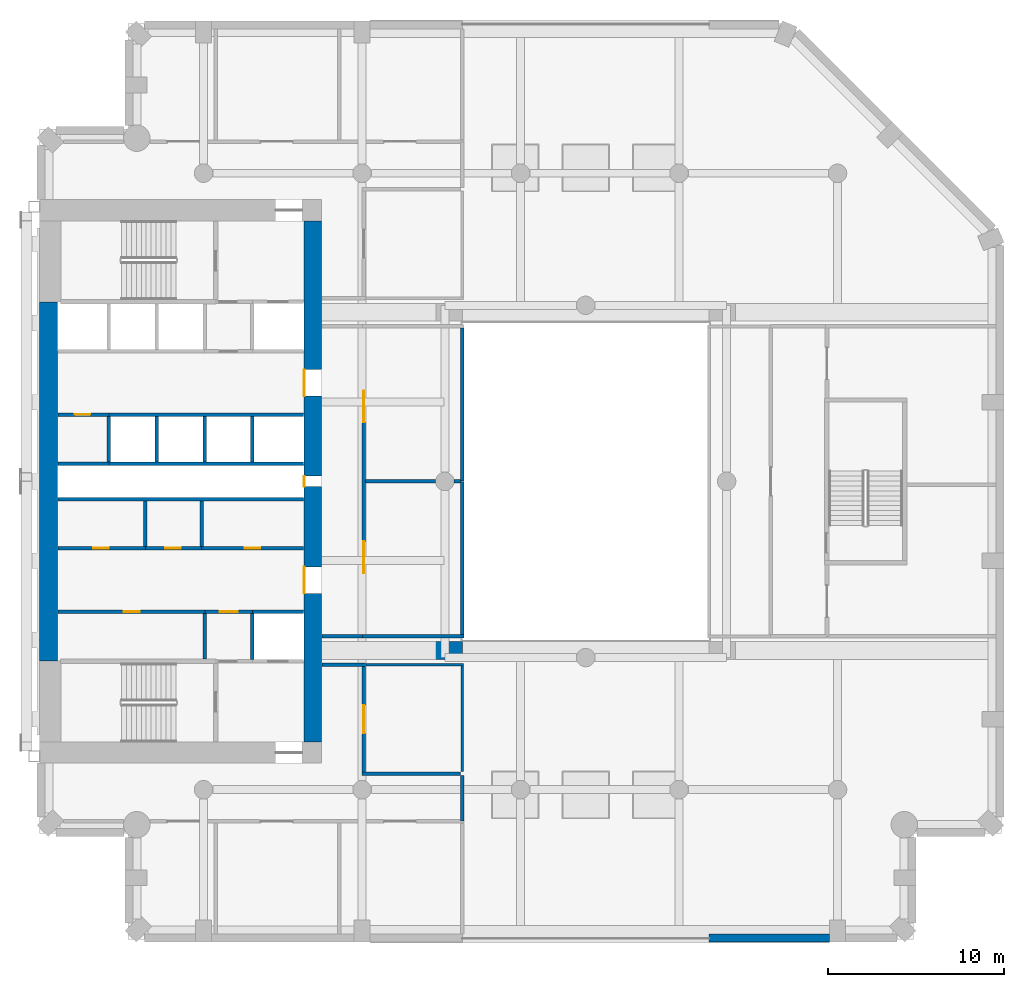
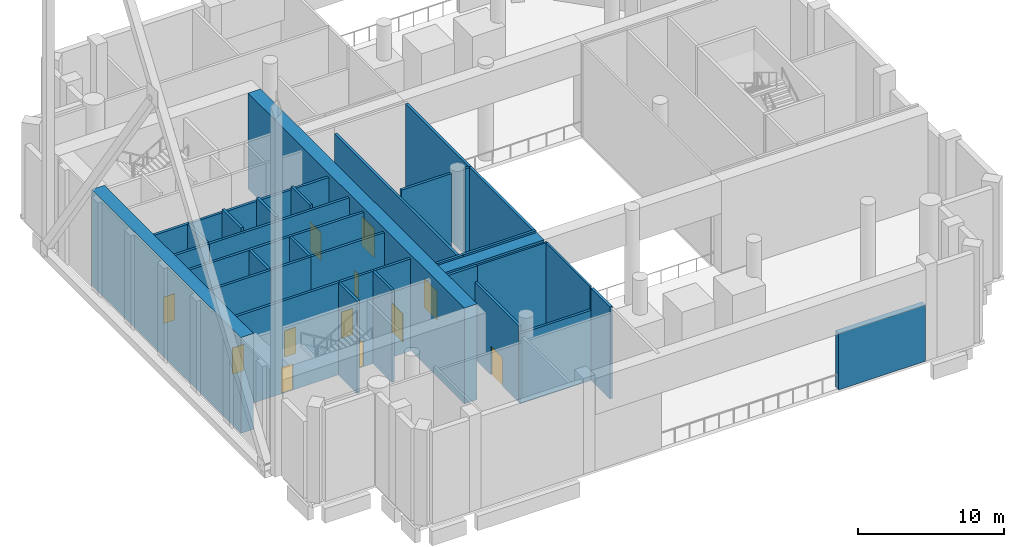
# One storey, part 3 of 14: 36 walls, 12 doors, 12 openings.
"""IFC4 building model written with IfcOpenShell, lengths in metres."""

import ifcopenshell
import ifcopenshell.guid

model = None  # the IFC model being written
_history = None  # IfcOwnerHistory: only IFC2X3 demands one
_inside = {}  # id of a spatial element -> (the spatial element, [elements in it])
_under = {}  # id of a project, library or spatial element -> (it, [spatial elements below it])
_declared = {}  # id of a project -> (the project, [libraries it declares])
_typed = {}  # id of a type object -> (the type object, [elements of that type])
_made_of = {}  # id of a material, layer set ... -> (it, [elements and type objects made of it])


def new_model(schema):
    """Start an empty IFC model of exactly this schema.

    Asked for "IFC4X3", IfcOpenShell would pick the latest addendum, in which some entities
    have other attributes; the version numbers below select the first issue.
    IFC2X3 requires an IfcOwnerHistory on every rooted entity: one is made here for all.
    """
    global model, _history
    if schema == "IFC4X3":
        model = ifcopenshell.file(schema_version=(4, 3, 0, 0))
    else:
        model = ifcopenshell.file(schema=schema)
    _inside.clear()
    _under.clear()
    _declared.clear()
    _typed.clear()
    _made_of.clear()
    _history = None
    if model.schema == "IFC2X3":
        org = make("IfcOrganization", Name="unknown")
        user = make(
            "IfcPersonAndOrganization",
            ThePerson=make("IfcPerson", FamilyName="unknown"),
            TheOrganization=org,
        )
        app = make(
            "IfcApplication",
            ApplicationDeveloper=org,
            Version="unknown",
            ApplicationFullName="unknown",
            ApplicationIdentifier="unknown",
        )
        _history = make(
            "IfcOwnerHistory",
            OwningUser=user,
            OwningApplication=app,
            ChangeAction="ADDED",
            CreationDate=0,
        )
    return model


def make(cls, **values):
    """One entity of the class cls with the attributes given. An attribute that is None is left unset."""
    return model.create_entity(
        cls, **{name: value for name, value in values.items() if value is not None}
    )


def rooted(cls, **values):
    """An entity with a GlobalId (a new one), such as an element, a storey or a relation."""
    return make(cls, GlobalId=ifcopenshell.guid.new(), OwnerHistory=_history, **values)


def si_unit(unit_type, name, prefix=None):
    """IfcSIUnit, for example si_unit("LENGTHUNIT", "METRE", prefix="MILLI")."""
    return make("IfcSIUnit", UnitType=unit_type, Prefix=prefix, Name=name)


def assignment(units):
    """IfcUnitAssignment: the units of a project."""
    return None if units is None else make("IfcUnitAssignment", Units=units)


def point(xyz):
    """IfcCartesianPoint."""
    return None if xyz is None else make("IfcCartesianPoint", Coordinates=xyz)


def direction(xyz):
    """IfcDirection."""
    return None if xyz is None else make("IfcDirection", DirectionRatios=xyz)


def frame(location, z_axis=None, x_axis=None):
    """IfcAxis2Placement3D, a coordinate frame: its origin and axes. An axis left out is left unset."""
    return make(
        "IfcAxis2Placement3D",
        Location=point(location),
        Axis=direction(z_axis),
        RefDirection=direction(x_axis),
    )


def frame_2d(location, x_axis=None):
    """IfcAxis2Placement2D, a coordinate frame in the plane: its origin and x axis."""
    return make(
        "IfcAxis2Placement2D", Location=point(location), RefDirection=direction(x_axis)
    )


def origin():
    """The frame at (0, 0, 0) with its axes left unset."""
    return frame((0.0, 0.0, 0.0))


def place(relative_to, where):
    """IfcLocalPlacement: puts the frame where relative to a parent placement (None: the world)."""
    return make(
        "IfcLocalPlacement", PlacementRelTo=relative_to, RelativePlacement=where
    )


def context(
    kind, dimensions, precision=None, world=None, true_north=None, identifier=None
):
    """IfcGeometricRepresentationContext, for example the 3D "Model" context."""
    return make(
        "IfcGeometricRepresentationContext",
        ContextIdentifier=identifier,
        ContextType=kind,
        CoordinateSpaceDimension=dimensions,
        Precision=precision,
        WorldCoordinateSystem=world,
        TrueNorth=true_north,
    )


def subcontext(parent, identifier, kind, view, scale=None):
    """IfcGeometricRepresentationSubContext, for example "Body" below "Model"."""
    return make(
        "IfcGeometricRepresentationSubContext",
        ContextIdentifier=identifier,
        ContextType=kind,
        ParentContext=parent,
        TargetScale=scale,
        TargetView=view,
    )


def project(units=None, contexts=None):
    """IfcProject with its units and contexts."""
    return rooted(
        "IfcProject",
        Name="project",
        RepresentationContexts=contexts,
        UnitsInContext=assignment(units),
    )


def spatial(cls, under=None, at=None, **own):
    """A site, building, storey or space (cls), placed at a placement, below another one or the project."""
    s = rooted(cls, ObjectPlacement=at, **own)
    if under is not None:
        _under.setdefault(under.id(), (under, []))[1].append(s)
    return s


def profile(cls, at=None, kind="AREA", **sizes):
    """A parametric profile (cls). Its sizes go by their IFC names, for example OverallWidth=200.0."""
    return make(cls, ProfileType=kind, Position=at, **sizes)


def rectangle(**sizes):
    """IfcRectangleProfileDef."""
    return profile("IfcRectangleProfileDef", **sizes)


def extrude(swept, where, along, depth):
    """IfcExtrudedAreaSolid: the profile swept, set in the frame where, extruded along a direction by depth."""
    return make(
        "IfcExtrudedAreaSolid",
        SweptArea=swept,
        Position=where,
        ExtrudedDirection=direction(along),
        Depth=depth,
    )


def shape(context_of_items, identifier, shape_type, items):
    """IfcShapeRepresentation: the items that make up one representation, for example the "Body"."""
    return make(
        "IfcShapeRepresentation",
        ContextOfItems=context_of_items,
        RepresentationIdentifier=identifier,
        RepresentationType=shape_type,
        Items=items,
    )


def material(Name=None, Category=None):
    """IfcMaterial."""
    return make("IfcMaterial", Name=Name, Category=Category)


def layer(
    of_material, thickness, ventilated=None, Name=None, Category=None, Priority=None
):
    """IfcMaterialLayer: one layer of a wall or slab, of a material (None: an air gap)."""
    return make(
        "IfcMaterialLayer",
        Material=of_material,
        LayerThickness=thickness,
        IsVentilated=ventilated,
        Name=Name,
        Category=Category,
        Priority=Priority,
    )


def layer_set(layers, Name=None):
    """IfcMaterialLayerSet."""
    return make("IfcMaterialLayerSet", MaterialLayers=layers, LayerSetName=Name)


def made_of(thing, what):
    """Note that an element or type object is made of a material, layer set ...; save() writes the relation."""
    if what is not None:
        _made_of.setdefault(what.id(), (what, []))[1].append(thing)
    return thing


def type_object(cls, material=None, **own):
    """A type object (cls), such as IfcWallType, which elements share."""
    return made_of(rooted(cls, **own), material)


def element(
    cls,
    number,
    at=None,
    inside=None,
    cuts=None,
    type_object=None,
    material=None,
    context=None,
    identifier="Body",
    shape_type=None,
    held_by="IfcProductDefinitionShape",
    body=None,
    shapes=None,
    **own,
):
    """One element of the class cls, such as IfcWall. Its Tag is "e" and its number.

    at: its placement. inside: the storey or other place that contains it. cuts: it is an
    opening in that element (IfcRelVoidsElement). A single representation is given by context,
    identifier, shape_type and body (its items); several are given by shapes. held_by: the class
    of the entity that holds the representations. save() writes the other relations.
    """
    e = rooted(cls, Tag="e%d" % number, ObjectPlacement=at, **own)
    if body is not None:
        shapes = [shape(context, identifier, shape_type, body)]
    if shapes is not None:
        e.Representation = make(held_by, Representations=shapes)
    if inside is not None:
        _inside.setdefault(inside.id(), (inside, []))[1].append(e)
    if cuts is not None:
        rooted(
            "IfcRelVoidsElement", RelatingBuildingElement=cuts, RelatedOpeningElement=e
        )
    if type_object is not None:
        _typed.setdefault(type_object.id(), (type_object, []))[1].append(e)
    return made_of(e, material)


def fill(opening, filler):
    """IfcRelFillsElement: the door or window that sits in an opening."""
    return rooted(
        "IfcRelFillsElement",
        RelatingOpeningElement=opening,
        RelatedBuildingElement=filler,
    )


def aggregate(whole, parts):
    """IfcRelAggregates: a whole, such as a stair, and the parts it consists of."""
    return rooted("IfcRelAggregates", RelatingObject=whole, RelatedObjects=parts)


def save(model, path):
    """Write the relations noted so far, then the file.

    IfcRelAggregates (storeys below a building ...), IfcRelContainedInSpatialStructure (elements
    in a storey), IfcRelDefinesByType, IfcRelAssociatesMaterial and IfcRelDeclares: one each for
    every whole, place, type object, material and project.
    """
    for whole, parts in _under.values():
        aggregate(whole, parts)
    for where, things in _inside.values():
        rooted(
            "IfcRelContainedInSpatialStructure",
            RelatedElements=things,
            RelatingStructure=where,
        )
    for kind, things in _typed.values():
        rooted("IfcRelDefinesByType", RelatedObjects=things, RelatingType=kind)
    for what, things in _made_of.values():
        rooted("IfcRelAssociatesMaterial", RelatedObjects=things, RelatingMaterial=what)
    for by, libraries in _declared.values():
        rooted("IfcRelDeclares", RelatingContext=by, RelatedDefinitions=libraries)
    model.write(path)


model = new_model("IFC4")

# Units and contexts
model_context = context("Model", 3, precision=1e-05, world=origin(), true_north=direction((0.0, 1.0)))
body_context = subcontext(model_context, "Body", "Model", "MODEL_VIEW")
ifc_project = project(units=[si_unit("LENGTHUNIT", "METRE"), si_unit("AREAUNIT", "SQUARE_METRE"), si_unit("VOLUMEUNIT", "CUBIC_METRE"), si_unit("PLANEANGLEUNIT", "RADIAN"), si_unit("MASSUNIT", "GRAM", prefix="KILO")], contexts=[model_context])

# Site, building, storey
site_placement = place(None, origin())
site = spatial("IfcSite", under=ifc_project, at=site_placement, CompositionType="ELEMENT")
building_placement = place(site_placement, origin())
building = spatial("IfcBuilding", under=site, at=building_placement, Name="Cypress Arch Tower", CompositionType="ELEMENT")
storey_placement = place(building_placement, frame((0.0, 0.0, 152.5)))
storey = spatial("IfcBuildingStorey", under=building, at=storey_placement, Name="L33", CompositionType="ELEMENT", Elevation=152.5)

# Wall
ifc_material_1 = material(Name="Brick (red buff blend)", Category="masonry")
ifc_layer_1 = layer(ifc_material_1, 0.449951171875)
ifc_layer_set_1 = layer_set([ifc_layer_1], Name="Brick belt wall BW450-B")
wall_type_1 = type_object("IfcWallType", Name="Brick belt wall BW450-B", PredefinedType="SOLIDWALL", material=ifc_layer_set_1)
wall_1_placement = place(storey_placement, frame((8.0, -25.925048828125, 0.0), z_axis=(0.0, 0.0, 1.0), x_axis=(1.0, 0.0, 0.0)))
element("IfcWall", 1, at=wall_1_placement, inside=storey, type_object=wall_type_1, Name="Brick wall L33 A03.4", PredefinedType="SOLIDWALL", context=body_context, shape_type="SweptSolid", body=[
    extrude(rectangle(XDim=6.85009765625, YDim=0.449951171875, at=frame_2d((3.425048828125, 0.0))), origin(), (0.0, 0.0, 1.0), 4.699951171875),
])

# Wall, openings, doors
ifc_material_2 = material(Name="Concrete C80/95", Category="concrete")
ifc_layer_2 = layer(ifc_material_2, 1.0)
ifc_layer_set_2 = layer_set([ifc_layer_2], Name="Core wall CW1000 C80/95")
wall_type_2 = type_object("IfcWallType", Name="Core wall CW1000 C80/95", PredefinedType="SHEAR", material=ifc_layer_set_2)
wall_2_placement = place(storey_placement, frame((-14.5, -14.800048828125, 0.0), z_axis=(0.0, 0.0, 1.0), x_axis=(0.0, 1.0, 0.0)))
wall_2 = element("IfcWall", 2, at=wall_2_placement, inside=storey, type_object=wall_type_2, Name="Core wall", PredefinedType="SHEAR", context=body_context, shape_type="SweptSolid", body=[
    extrude(rectangle(XDim=29.60009765625, YDim=1.0, at=frame_2d((14.800048828125, 0.0))), origin(), (0.0, 0.0, 1.0), 8.0),
])
opening_1_placement = place(wall_2_placement, frame((8.449951171875, 0.0, 0.0)))
opening_1 = element("IfcOpeningElement", 3, at=opening_1_placement, cuts=wall_2, Name="Opening D07", PredefinedType="OPENING", context=body_context, shape_type="SweptSolid", body=[
    extrude(rectangle(XDim=1.5, YDim=2.39990234375, at=frame_2d((0.75, 1.199951171875))), frame((0.0, 0.510009765625, 0.0), z_axis=(0.0, -1.0, 0.0), x_axis=(1.0, 0.0, 0.0)), (0.0, 0.0, 1.0), 1.02001953125),
])
opening_2_placement = place(wall_2_placement, frame((19.64990234375, 0.0, 0.0)))
opening_2 = element("IfcOpeningElement", 4, at=opening_2_placement, cuts=wall_2, Name="Opening D07", PredefinedType="OPENING", context=body_context, shape_type="SweptSolid", body=[
    extrude(rectangle(XDim=1.5, YDim=2.39990234375, at=frame_2d((0.75, 1.199951171875))), frame((0.0, 0.510009765625, 0.0), z_axis=(0.0, -1.0, 0.0), x_axis=(1.0, 0.0, 0.0)), (0.0, 0.0, 1.0), 1.02001953125),
])
opening_3_placement = place(wall_2_placement, frame((14.5, 0.0, 0.0)))
opening_3 = element("IfcOpeningElement", 5, at=opening_3_placement, cuts=wall_2, Name="Opening D08", PredefinedType="OPENING", context=body_context, shape_type="SweptSolid", body=[
    extrude(rectangle(XDim=0.60009765625, YDim=2.0, at=frame_2d((0.300048828125, 1.0))), frame((0.0, 0.510009765625, 0.0), z_axis=(0.0, -1.0, 0.0), x_axis=(1.0, 0.0, 0.0)), (0.0, 0.0, 1.0), 1.02001953125),
])
ifc_material_3 = material(Name="Steel framed glazed door, fire resisting", Category="steel")
door_type_1 = type_object("IfcDoorType", Name="Lobby door D07 1500x2400", OperationType="DOUBLE_DOOR_SINGLE_SWING", PredefinedType="DOOR", material=ifc_material_3)
door_1_placement = place(opening_1_placement, origin())
door_1 = element("IfcDoor", 6, at=door_1_placement, inside=storey, type_object=door_type_1, Name="Lobby door", OperationType="DOUBLE_DOOR_SINGLE_SWING", OverallHeight=2.39990234375, OverallWidth=1.5, PredefinedType="DOOR", context=body_context, shape_type="SweptSolid", body=[
    extrude(rectangle(XDim=1.5, YDim=2.39990234375, at=frame_2d((0.75, 1.199951171875))), frame((0.0, 0.4951171875, 0.0), z_axis=(0.0, -1.0, 0.0), x_axis=(1.0, 0.0, 0.0)), (0.0, 0.0, 1.0), 0.050048828125),
])
fill(opening_1, door_1)
door_2_placement = place(opening_2_placement, origin())
door_2 = element("IfcDoor", 7, at=door_2_placement, inside=storey, type_object=door_type_1, Name="Lobby door", OperationType="DOUBLE_DOOR_SINGLE_SWING", OverallHeight=2.39990234375, OverallWidth=1.5, PredefinedType="DOOR", context=body_context, shape_type="SweptSolid", body=[
    extrude(rectangle(XDim=1.5, YDim=2.39990234375, at=frame_2d((0.75, 1.199951171875))), frame((0.0, 0.4951171875, 0.0), z_axis=(0.0, -1.0, 0.0), x_axis=(1.0, 0.0, 0.0)), (0.0, 0.0, 1.0), 0.050048828125),
])
fill(opening_2, door_2)
ifc_material_4 = material(Name="Steel access door, fire resisting", Category="steel")
door_type_2 = type_object("IfcDoorType", Name="Riser access door D08 600x2000", OperationType="SINGLE_SWING_LEFT", PredefinedType="DOOR", material=ifc_material_4)
door_3_placement = place(opening_3_placement, origin())
door_3 = element("IfcDoor", 8, at=door_3_placement, inside=storey, type_object=door_type_2, Name="Riser access door", OperationType="SINGLE_SWING_RIGHT", OverallHeight=2.0, OverallWidth=0.60009765625, PredefinedType="DOOR", context=body_context, shape_type="SweptSolid", body=[
    extrude(rectangle(XDim=0.60009765625, YDim=2.0, at=frame_2d((0.300048828125, 1.0))), frame((0.0, 0.4951171875, 0.0), z_axis=(0.0, -1.0, 0.0), x_axis=(1.0, 0.0, 0.0)), (0.0, 0.0, 1.0), 0.050048828125),
])
fill(opening_3, door_3)

# Wall
wall_3_placement = place(storey_placement, frame((-29.5, -10.199951171875, 0.0), z_axis=(0.0, 0.0, 1.0), x_axis=(0.0, 1.0, 0.0)))
element("IfcWall", 9, at=wall_3_placement, inside=storey, type_object=wall_type_2, Name="Core wall", PredefinedType="SHEAR", context=body_context, shape_type="SweptSolid", body=[
    extrude(rectangle(XDim=20.39990234375, YDim=1.0, at=frame_2d((10.199951171875, 0.0))), origin(), (0.0, 0.0, 1.0), 8.0),
])

# Wall, opening, door
ifc_material_5 = material(Name="Concrete blockwork, plastered, rated", Category="masonry")
ifc_layer_3 = layer(ifc_material_5, 0.199951171875)
ifc_layer_set_3 = layer_set([ifc_layer_3], Name="Corridor wall FW200")
wall_type_3 = type_object("IfcWallType", Name="Corridor wall FW200", PredefinedType="PARTITIONING", material=ifc_layer_set_3)
wall_4_placement = place(storey_placement, frame((-28.969970703125, -3.800048828125, 0.0), z_axis=(0.0, 0.0, 1.0), x_axis=(1.0, 0.0, 0.0)))
wall_4 = element("IfcWall", 10, at=wall_4_placement, inside=storey, type_object=wall_type_3, Name="Corridor wall", PredefinedType="PARTITIONING", context=body_context, shape_type="SweptSolid", body=[
    extrude(rectangle(XDim=4.989990234375, YDim=0.199951171875, at=frame_2d((2.4951171875, 0.0))), origin(), (0.0, 0.0, 1.0), 7.699951171875),
])
opening_4_placement = place(wall_4_placement, frame((2.0, 0.0, 0.0)))
opening_4 = element("IfcOpeningElement", 11, at=opening_4_placement, cuts=wall_4, Name="Opening D05", PredefinedType="OPENING", context=body_context, shape_type="SweptSolid", body=[
    extrude(rectangle(XDim=0.89990234375, YDim=2.199951171875, at=frame_2d((0.449951171875, 1.10009765625))), frame((0.0, 0.10986328125, 0.0), z_axis=(0.0, -1.0, 0.0), x_axis=(1.0, 0.0, 0.0)), (0.0, 0.0, 1.0), 0.219970703125),
])
ifc_material_6 = material(Name="Timber flush door", Category="wood")
door_type_3 = type_object("IfcDoorType", Name="Service door D05 900x2200", OperationType="SINGLE_SWING_LEFT", PredefinedType="DOOR", material=ifc_material_6)
door_4_placement = place(opening_4_placement, origin())
door_4 = element("IfcDoor", 12, at=door_4_placement, inside=storey, type_object=door_type_3, Name="Service door", OperationType="SINGLE_SWING_RIGHT", OverallHeight=2.199951171875, OverallWidth=0.89990234375, PredefinedType="DOOR", context=body_context, shape_type="SweptSolid", body=[
    extrude(rectangle(XDim=0.89990234375, YDim=2.199951171875, at=frame_2d((0.449951171875, 1.10009765625))), frame((0.0, 0.02490234375, 0.0), z_axis=(0.0, -1.0, 0.0), x_axis=(1.0, 0.0, 0.0)), (0.0, 0.0, 1.0), 0.050048828125),
])
fill(opening_4, door_4)

wall_5_placement = place(storey_placement, frame((-28.969970703125, 3.800048828125, 0.0), z_axis=(0.0, 0.0, 1.0), x_axis=(1.0, 0.0, 0.0)))
wall_5 = element("IfcWall", 13, at=wall_5_placement, inside=storey, type_object=wall_type_3, Name="Corridor wall", PredefinedType="PARTITIONING", context=body_context, shape_type="SweptSolid", body=[
    extrude(rectangle(XDim=2.889892578125, YDim=0.199951171875, at=frame_2d((1.44482421875, 0.0))), origin(), (0.0, 0.0, 1.0), 7.699951171875),
])
opening_5_placement = place(wall_5_placement, frame((0.949951171875, 0.0, 0.0)))
opening_5 = element("IfcOpeningElement", 14, at=opening_5_placement, cuts=wall_5, Name="Opening D05", PredefinedType="OPENING", context=body_context, shape_type="SweptSolid", body=[
    extrude(rectangle(XDim=0.89990234375, YDim=2.199951171875, at=frame_2d((0.449951171875, 1.10009765625))), frame((0.0, 0.10986328125, 0.0), z_axis=(0.0, -1.0, 0.0), x_axis=(1.0, 0.0, 0.0)), (0.0, 0.0, 1.0), 0.219970703125),
])
door_5_placement = place(opening_5_placement, origin())
door_5 = element("IfcDoor", 15, at=door_5_placement, inside=storey, type_object=door_type_3, Name="Service door", OperationType="SINGLE_SWING_LEFT", OverallHeight=2.199951171875, OverallWidth=0.89990234375, PredefinedType="DOOR", context=body_context, shape_type="SweptSolid", body=[
    extrude(rectangle(XDim=0.89990234375, YDim=2.199951171875, at=frame_2d((0.449951171875, 1.10009765625))), frame((0.0, 0.02490234375, 0.0), z_axis=(0.0, -1.0, 0.0), x_axis=(1.0, 0.0, 0.0)), (0.0, 0.0, 1.0), 0.050048828125),
])
fill(opening_5, door_5)

wall_6_placement = place(storey_placement, frame((-20.820068359375, -3.800048828125, 0.0), z_axis=(0.0, 0.0, 1.0), x_axis=(1.0, 0.0, 0.0)))
wall_6 = element("IfcWall", 16, at=wall_6_placement, inside=storey, type_object=wall_type_3, Name="Corridor wall", PredefinedType="PARTITIONING", context=body_context, shape_type="SweptSolid", body=[
    extrude(rectangle(XDim=5.7900390625, YDim=0.199951171875, at=frame_2d((2.89501953125, 0.0))), origin(), (0.0, 0.0, 1.0), 7.699951171875),
])
opening_6_placement = place(wall_6_placement, frame((2.449951171875, 0.0, 0.0)))
opening_6 = element("IfcOpeningElement", 17, at=opening_6_placement, cuts=wall_6, Name="Opening D05", PredefinedType="OPENING", context=body_context, shape_type="SweptSolid", body=[
    extrude(rectangle(XDim=0.89990234375, YDim=2.199951171875, at=frame_2d((0.449951171875, 1.10009765625))), frame((0.0, 0.10986328125, 0.0), z_axis=(0.0, -1.0, 0.0), x_axis=(1.0, 0.0, 0.0)), (0.0, 0.0, 1.0), 0.219970703125),
])
door_6_placement = place(opening_6_placement, origin())
door_6 = element("IfcDoor", 18, at=door_6_placement, inside=storey, type_object=door_type_3, Name="Service door", OperationType="SINGLE_SWING_LEFT", OverallHeight=2.199951171875, OverallWidth=0.89990234375, PredefinedType="DOOR", context=body_context, shape_type="SweptSolid", body=[
    extrude(rectangle(XDim=0.89990234375, YDim=2.199951171875, at=frame_2d((0.449951171875, 1.10009765625))), frame((0.0, 0.02490234375, 0.0), z_axis=(0.0, -1.0, 0.0), x_axis=(1.0, 0.0, 0.0)), (0.0, 0.0, 1.0), 0.050048828125),
])
fill(opening_6, door_6)

wall_7_placement = place(storey_placement, frame((-20.6201171875, -7.39990234375, 0.0), z_axis=(0.0, 0.0, 1.0), x_axis=(1.0, 0.0, 0.0)))
wall_7 = element("IfcWall", 19, at=wall_7_placement, inside=storey, type_object=wall_type_3, Name="Corridor wall", PredefinedType="PARTITIONING", context=body_context, shape_type="SweptSolid", body=[
    extrude(rectangle(XDim=2.7001953125, YDim=0.199951171875, at=frame_2d((1.35009765625, 0.0))), origin(), (0.0, 0.0, 1.0), 7.699951171875),
])
opening_7_placement = place(wall_7_placement, frame((0.85009765625, 0.0, 0.0)))
opening_7 = element("IfcOpeningElement", 20, at=opening_7_placement, cuts=wall_7, Name="Opening D16", PredefinedType="OPENING", context=body_context, shape_type="SweptSolid", body=[
    extrude(rectangle(XDim=1.0, YDim=2.199951171875, at=frame_2d((0.5, 1.10009765625))), frame((0.0, 0.10986328125, 0.0), z_axis=(0.0, -1.0, 0.0), x_axis=(1.0, 0.0, 0.0)), (0.0, 0.0, 1.0), 0.219970703125),
])
ifc_material_7 = material(Name="Timber flush door", Category="wood")
door_type_4 = type_object("IfcDoorType", Name="Service door D16 1000x2200", OperationType="SINGLE_SWING_LEFT", PredefinedType="DOOR", material=ifc_material_7)
door_7_placement = place(opening_7_placement, origin())
door_7 = element("IfcDoor", 21, at=door_7_placement, inside=storey, type_object=door_type_4, Name="Service door", OperationType="SINGLE_SWING_RIGHT", OverallHeight=2.199951171875, OverallWidth=1.0, PredefinedType="DOOR", context=body_context, shape_type="SweptSolid", body=[
    extrude(rectangle(XDim=1.0, YDim=2.199951171875, at=frame_2d((0.5, 1.10009765625))), frame((0.0, 0.02490234375, 0.0), z_axis=(0.0, -1.0, 0.0), x_axis=(1.0, 0.0, 0.0)), (0.0, 0.0, 1.0), 0.050048828125),
])
fill(opening_7, door_7)

# Walls
wall_8_placement = place(storey_placement, frame((-13.969970703125, -10.39990234375, 0.0), z_axis=(0.0, 0.0, 1.0), x_axis=(1.0, 0.0, 0.0)))
element("IfcWall", 22, at=wall_8_placement, inside=storey, type_object=wall_type_3, Name="Corridor wall", PredefinedType="PARTITIONING", context=body_context, shape_type="SweptSolid", body=[
    extrude(rectangle(XDim=2.469970703125, YDim=0.199951171875, at=frame_2d((1.23486328125, 0.0))), origin(), (0.0, 0.0, 1.0), 7.699951171875),
])
wall_9_placement = place(storey_placement, frame((-13.969970703125, -8.800048828125, 0.0), z_axis=(0.0, 0.0, 1.0), x_axis=(1.0, 0.0, 0.0)))
element("IfcWall", 23, at=wall_9_placement, inside=storey, type_object=wall_type_3, Name="Corridor wall", PredefinedType="PARTITIONING", context=body_context, shape_type="SweptSolid", body=[
    extrude(rectangle(XDim=2.2900390625, YDim=0.199951171875, at=frame_2d((1.14501953125, 0.0))), origin(), (0.0, 0.0, 1.0), 7.699951171875),
])

# Wall, opening, door
wall_10_placement = place(storey_placement, frame((-11.60009765625, -16.4990234375, 0.0), z_axis=(0.0, 0.0, 1.0), x_axis=(0.0, 1.0, 0.0)))
wall_10 = element("IfcWall", 24, at=wall_10_placement, inside=storey, type_object=wall_type_3, Name="Corridor wall", PredefinedType="PARTITIONING", context=body_context, shape_type="SweptSolid", body=[
    extrude(rectangle(XDim=5.9990234375, YDim=0.199951171875, at=frame_2d((2.99951171875, 0.0))), origin(), (0.0, 0.0, 1.0), 6.39990234375),
])
opening_8_placement = place(wall_10_placement, frame((2.199951171875, 0.0, 0.0)))
opening_8 = element("IfcOpeningElement", 25, at=opening_8_placement, cuts=wall_10, Name="Opening D10", PredefinedType="OPENING", context=body_context, shape_type="SweptSolid", body=[
    extrude(rectangle(XDim=1.60009765625, YDim=2.39990234375, at=frame_2d((0.800048828125, 1.199951171875))), frame((0.0, 0.10986328125, 0.0), z_axis=(0.0, -1.0, 0.0), x_axis=(1.0, 0.0, 0.0)), (0.0, 0.0, 1.0), 0.219970703125),
])
ifc_material_8 = material(Name="Black aluminium glazed door", Category="aluminium")
door_type_5 = type_object("IfcDoorType", Name="Amenity door D10 1600x2400", OperationType="DOUBLE_DOOR_SINGLE_SWING", PredefinedType="DOOR", material=ifc_material_8)
door_8_placement = place(opening_8_placement, origin())
door_8 = element("IfcDoor", 26, at=door_8_placement, inside=storey, type_object=door_type_5, Name="Amenity door", OperationType="DOUBLE_DOOR_SINGLE_SWING", OverallHeight=2.39990234375, OverallWidth=1.60009765625, PredefinedType="DOOR", context=body_context, shape_type="SweptSolid", body=[
    extrude(rectangle(XDim=1.60009765625, YDim=2.39990234375, at=frame_2d((0.800048828125, 1.199951171875))), frame((0.0, 0.02490234375, 0.0), z_axis=(0.0, -1.0, 0.0), x_axis=(1.0, 0.0, 0.0)), (0.0, 0.0, 1.0), 0.050048828125),
])
fill(opening_8, door_8)

# Walls
wall_11_placement = place(storey_placement, frame((-11.698974609375, -16.60009765625, 0.0), z_axis=(0.0, 0.0, 1.0), x_axis=(1.0, 0.0, 0.0)))
element("IfcWall", 27, at=wall_11_placement, inside=storey, type_object=wall_type_3, Name="Corridor wall", PredefinedType="PARTITIONING", context=body_context, shape_type="SweptSolid", body=[
    extrude(rectangle(XDim=5.598876953125, YDim=0.199951171875, at=frame_2d((2.79931640625, 0.0))), origin(), (0.0, 0.0, 1.0), 5.85009765625),
])
wall_12_placement = place(storey_placement, frame((-6.0, -19.280029296875, 0.0), z_axis=(0.0, 0.0, 1.0), x_axis=(0.0, 1.0, 0.0)))
element("IfcWall", 28, at=wall_12_placement, inside=storey, type_object=wall_type_3, Name="Corridor wall", PredefinedType="PARTITIONING", context=body_context, shape_type="SweptSolid", body=[
    extrude(rectangle(XDim=2.580078125, YDim=0.199951171875, at=frame_2d((1.2900390625, 0.0))), origin(), (0.0, 0.0, 1.0), 7.699951171875),
])
ifc_material_9 = material(Name="Concrete C80/95", Category="concrete")
ifc_layer_4 = layer(ifc_material_9, 1.0)
ifc_layer_set_4 = layer_set([ifc_layer_4], Name="Outrigger wall 1000 Concrete C80/95")
wall_type_4 = type_object("IfcWallType", Name="Outrigger wall 1000 Concrete C80/95", PredefinedType="SOLIDWALL", material=ifc_layer_set_4)
wall_13_placement = place(storey_placement, frame((-14.0, -9.60009765625, 0.0), z_axis=(0.0, 0.0, 1.0), x_axis=(1.0, 0.0, 0.0)))
element("IfcWall", 29, at=wall_13_placement, inside=storey, type_object=wall_type_4, Name="Outrigger wall L33 SW", PredefinedType="SOLIDWALL", context=body_context, shape_type="SweptSolid", body=[
    extrude(rectangle(XDim=8.0, YDim=1.0, at=frame_2d((4.0, 0.0))), origin(), (0.0, 0.0, 1.0), 7.699951171875),
])
ifc_material_10 = material(Name="Blockwork, plastered both sides", Category="masonry")
ifc_layer_5 = layer(ifc_material_10, 0.14990234375)
ifc_layer_set_5 = layer_set([ifc_layer_5], Name="Partition PW150")
wall_type_5 = type_object("IfcWallType", Name="Partition PW150", PredefinedType="PARTITIONING", material=ifc_layer_set_5)
wall_14_placement = place(storey_placement, frame((-11.47998046875, -10.39990234375, 0.0), z_axis=(0.0, 0.0, 1.0), x_axis=(1.0, 0.0, 0.0)))
element("IfcWall", 30, at=wall_14_placement, inside=storey, type_object=wall_type_5, Name="Partition", PredefinedType="PARTITIONING", context=body_context, shape_type="SweptSolid", body=[
    extrude(rectangle(XDim=5.554931640625, YDim=0.14990234375, at=frame_2d((2.77734375, 0.0))), origin(), (0.0, 0.0, 1.0), 7.699951171875),
])
wall_15_placement = place(storey_placement, frame((-6.0, -16.47998046875, 0.0), z_axis=(0.0, 0.0, 1.0), x_axis=(0.0, 1.0, 0.0)))
element("IfcWall", 31, at=wall_15_placement, inside=storey, type_object=wall_type_5, Name="Partition", PredefinedType="PARTITIONING", context=body_context, shape_type="SweptSolid", body=[
    extrude(rectangle(XDim=6.0048828125, YDim=0.14990234375, at=frame_2d((3.00244140625, 0.0))), origin(), (0.0, 0.0, 1.0), 7.699951171875),
])

# Wall, opening, door
ifc_material_11 = material(Name="Reinforced blockwork, plastered, rated", Category="masonry")
ifc_layer_6 = layer(ifc_material_11, 0.199951171875)
ifc_layer_set_6 = layer_set([ifc_layer_6], Name="Plant and riser wall PL200")
wall_type_6 = type_object("IfcWallType", Name="Plant and riser wall PL200", PredefinedType="PARTITIONING", material=ifc_layer_set_6)
wall_16_placement = place(storey_placement, frame((-28.969970703125, -7.39990234375, 0.0), z_axis=(0.0, 0.0, 1.0), x_axis=(1.0, 0.0, 0.0)))
wall_16 = element("IfcWall", 32, at=wall_16_placement, inside=storey, type_object=wall_type_6, Name="Plant and riser wall", PredefinedType="PARTITIONING", context=body_context, shape_type="SweptSolid", body=[
    extrude(rectangle(XDim=8.349853515625, YDim=0.199951171875, at=frame_2d((4.1748046875, 0.0))), origin(), (0.0, 0.0, 1.0), 7.699951171875),
])
opening_9_placement = place(wall_16_placement, frame((3.75, 0.0, 0.0)))
opening_9 = element("IfcOpeningElement", 33, at=opening_9_placement, cuts=wall_16, Name="Opening D05", PredefinedType="OPENING", context=body_context, shape_type="SweptSolid", body=[
    extrude(rectangle(XDim=0.89990234375, YDim=2.199951171875, at=frame_2d((0.449951171875, 1.10009765625))), frame((0.0, 0.10986328125, 0.0), z_axis=(0.0, -1.0, 0.0), x_axis=(1.0, 0.0, 0.0)), (0.0, 0.0, 1.0), 0.219970703125),
])
door_9_placement = place(opening_9_placement, origin())
door_9 = element("IfcDoor", 34, at=door_9_placement, inside=storey, type_object=door_type_3, Name="Service door", OperationType="SINGLE_SWING_LEFT", OverallHeight=2.199951171875, OverallWidth=0.89990234375, PredefinedType="DOOR", context=body_context, shape_type="SweptSolid", body=[
    extrude(rectangle(XDim=0.89990234375, YDim=2.199951171875, at=frame_2d((0.449951171875, 1.10009765625))), frame((0.0, 0.02490234375, 0.0), z_axis=(0.0, -1.0, 0.0), x_axis=(1.0, 0.0, 0.0)), (0.0, 0.0, 1.0), 0.050048828125),
])
fill(opening_9, door_9)

# Walls
wall_17_placement = place(storey_placement, frame((-28.969970703125, -1.0, 0.0), z_axis=(0.0, 0.0, 1.0), x_axis=(1.0, 0.0, 0.0)))
element("IfcWall", 35, at=wall_17_placement, inside=storey, type_object=wall_type_6, Name="Plant and riser wall", PredefinedType="PARTITIONING", context=body_context, shape_type="SweptSolid", body=[
    extrude(rectangle(XDim=13.93994140625, YDim=0.199951171875, at=frame_2d((6.969970703125, 0.0))), origin(), (0.0, 0.0, 1.0), 7.699951171875),
])
wall_18_placement = place(storey_placement, frame((-28.969970703125, 1.0, 0.0), z_axis=(0.0, 0.0, 1.0), x_axis=(1.0, 0.0, 0.0)))
element("IfcWall", 36, at=wall_18_placement, inside=storey, type_object=wall_type_6, Name="Plant and riser wall", PredefinedType="PARTITIONING", context=body_context, shape_type="SweptSolid", body=[
    extrude(rectangle(XDim=2.889892578125, YDim=0.199951171875, at=frame_2d((1.44482421875, 0.0))), origin(), (0.0, 0.0, 1.0), 7.699951171875),
])

# Wall, opening, door
wall_19_placement = place(storey_placement, frame((-23.97998046875, -3.800048828125, 0.0), z_axis=(0.0, 0.0, 1.0), x_axis=(1.0, 0.0, 0.0)))
wall_19 = element("IfcWall", 37, at=wall_19_placement, inside=storey, type_object=wall_type_6, Name="Plant and riser wall", PredefinedType="PARTITIONING", context=body_context, shape_type="SweptSolid", body=[
    extrude(rectangle(XDim=3.159912109375, YDim=0.199951171875, at=frame_2d((1.580078125, 0.0))), origin(), (0.0, 0.0, 1.0), 7.699951171875),
])
opening_10_placement = place(wall_19_placement, frame((1.10009765625, 0.0, 0.0)))
opening_10 = element("IfcOpeningElement", 38, at=opening_10_placement, cuts=wall_19, Name="Opening D05", PredefinedType="OPENING", context=body_context, shape_type="SweptSolid", body=[
    extrude(rectangle(XDim=0.89990234375, YDim=2.199951171875, at=frame_2d((0.449951171875, 1.10009765625))), frame((0.0, 0.10986328125, 0.0), z_axis=(0.0, -1.0, 0.0), x_axis=(1.0, 0.0, 0.0)), (0.0, 0.0, 1.0), 0.219970703125),
])
door_10_placement = place(opening_10_placement, origin())
door_10 = element("IfcDoor", 39, at=door_10_placement, inside=storey, type_object=door_type_3, Name="Service door", OperationType="SINGLE_SWING_LEFT", OverallHeight=2.199951171875, OverallWidth=0.89990234375, PredefinedType="DOOR", context=body_context, shape_type="SweptSolid", body=[
    extrude(rectangle(XDim=0.89990234375, YDim=2.199951171875, at=frame_2d((0.449951171875, 1.10009765625))), frame((0.0, 0.02490234375, 0.0), z_axis=(0.0, -1.0, 0.0), x_axis=(1.0, 0.0, 0.0)), (0.0, 0.0, 1.0), 0.050048828125),
])
fill(opening_10, door_10)

# Walls
for number, where, z_axis, x_axis, name in (
    (40, (-24.0, -3.699951171875, 0.0), (0.0, 0.0, 1.0), (0.0, 1.0, 0.0), "Plant and riser wall"),
    (41, (-20.800048828125, -3.699951171875, 0.0), (0.0, 0.0, 1.0), (0.0, 1.0, 0.0), "Plant and riser wall"),
):
    element("IfcWall", number, at=place(storey_placement, frame(where, z_axis=z_axis, x_axis=x_axis)), inside=storey, type_object=wall_type_6, Name=name, PredefinedType="PARTITIONING", context=body_context, shape_type="SweptSolid", body=[
        extrude(rectangle(XDim=2.599853515625, YDim=0.199951171875, at=frame_2d((1.2998046875, 0.0))), origin(), (0.0, 0.0, 1.0), 7.699951171875),
    ])
wall_20_placement = place(storey_placement, frame((-20.639892578125, -10.074951171875, 0.0), z_axis=(0.0, 0.0, 1.0), x_axis=(0.0, 1.0, 0.0)))
element("IfcWall", 42, at=wall_20_placement, inside=storey, type_object=wall_type_6, Name="Plant and riser wall", PredefinedType="PARTITIONING", context=body_context, shape_type="SweptSolid", body=[
    extrude(rectangle(XDim=2.574951171875, YDim=0.199951171875, at=frame_2d((1.28759765625, 0.0))), origin(), (0.0, 0.0, 1.0), 7.699951171875),
])

# Wall, openings, doors
wall_21_placement = place(storey_placement, frame((-11.60009765625, -8.699951171875, 0.0), z_axis=(0.0, 0.0, 1.0), x_axis=(0.0, 1.0, 0.0)))
wall_21 = element("IfcWall", 43, at=wall_21_placement, inside=storey, type_object=wall_type_6, Name="Plant and riser wall", PredefinedType="PARTITIONING", context=body_context, shape_type="SweptSolid", body=[
    extrude(rectangle(XDim=17.39990234375, YDim=0.199951171875, at=frame_2d((8.699951171875, 0.0))), origin(), (0.0, 0.0, 1.0), 7.14990234375),
])
opening_11_placement = place(wall_21_placement, frame((3.5, 0.0, 0.0)))
opening_11 = element("IfcOpeningElement", 44, at=opening_11_placement, cuts=wall_21, Name="Opening D09", PredefinedType="OPENING", context=body_context, shape_type="SweptSolid", body=[
    extrude(rectangle(XDim=1.800048828125, YDim=2.39990234375, at=frame_2d((0.89990234375, 1.199951171875))), frame((0.0, 0.10986328125, 0.0), z_axis=(0.0, -1.0, 0.0), x_axis=(1.0, 0.0, 0.0)), (0.0, 0.0, 1.0), 0.219970703125),
])
opening_12_placement = place(wall_21_placement, frame((12.050048828125, 0.0, 0.0)))
opening_12 = element("IfcOpeningElement", 45, at=opening_12_placement, cuts=wall_21, Name="Opening D09", PredefinedType="OPENING", context=body_context, shape_type="SweptSolid", body=[
    extrude(rectangle(XDim=1.800048828125, YDim=2.39990234375, at=frame_2d((0.89990234375, 1.199951171875))), frame((0.0, 0.10986328125, 0.0), z_axis=(0.0, -1.0, 0.0), x_axis=(1.0, 0.0, 0.0)), (0.0, 0.0, 1.0), 0.219970703125),
])
ifc_material_12 = material(Name="Steel door, fire resisting", Category="steel")
door_type_6 = type_object("IfcDoorType", Name="Plant room door D09 1800x2400", OperationType="DOUBLE_DOOR_SINGLE_SWING", PredefinedType="DOOR", material=ifc_material_12)
door_11_placement = place(opening_11_placement, origin())
door_11 = element("IfcDoor", 46, at=door_11_placement, inside=storey, type_object=door_type_6, Name="Plant room door", OperationType="DOUBLE_DOOR_SINGLE_SWING", OverallHeight=2.39990234375, OverallWidth=1.800048828125, PredefinedType="DOOR", context=body_context, shape_type="SweptSolid", body=[
    extrude(rectangle(XDim=1.800048828125, YDim=2.39990234375, at=frame_2d((0.89990234375, 1.199951171875))), frame((0.0, 0.02490234375, 0.0), z_axis=(0.0, -1.0, 0.0), x_axis=(1.0, 0.0, 0.0)), (0.0, 0.0, 1.0), 0.050048828125),
])
fill(opening_11, door_11)
door_12_placement = place(opening_12_placement, origin())
door_12 = element("IfcDoor", 47, at=door_12_placement, inside=storey, type_object=door_type_6, Name="Plant room door", OperationType="DOUBLE_DOOR_SINGLE_SWING", OverallHeight=2.39990234375, OverallWidth=1.800048828125, PredefinedType="DOOR", context=body_context, shape_type="SweptSolid", body=[
    extrude(rectangle(XDim=1.800048828125, YDim=2.39990234375, at=frame_2d((0.89990234375, 1.199951171875))), frame((0.0, 0.02490234375, 0.0), z_axis=(0.0, -1.0, 0.0), x_axis=(1.0, 0.0, 0.0)), (0.0, 0.0, 1.0), 0.050048828125),
])
fill(opening_12, door_12)

# Walls
wall_22_placement = place(storey_placement, frame((-11.5, 0.0, 0.0), z_axis=(0.0, 0.0, 1.0), x_axis=(1.0, 0.0, 0.0)))
element("IfcWall", 48, at=wall_22_placement, inside=storey, type_object=wall_type_6, Name="Plant and riser wall", PredefinedType="PARTITIONING", context=body_context, shape_type="SweptSolid", body=[
    extrude(rectangle(XDim=3.97509765625, YDim=0.199951171875, at=frame_2d((1.987548828125, 0.0))), origin(), (0.0, 0.0, 1.0), 7.699951171875),
])
wall_23_placement = place(storey_placement, frame((-6.47509765625, 0.0, 0.0), z_axis=(0.0, 0.0, 1.0), x_axis=(1.0, 0.0, 0.0)))
element("IfcWall", 49, at=wall_23_placement, inside=storey, type_object=wall_type_6, Name="Plant and riser wall", PredefinedType="PARTITIONING", context=body_context, shape_type="SweptSolid", body=[
    extrude(rectangle(XDim=0.375, YDim=0.199951171875, at=frame_2d((0.1875, 0.0))), origin(), (0.0, 0.0, 1.0), 7.699951171875),
])
wall_24_placement = place(storey_placement, frame((-11.679931640625, -8.800048828125, 0.0), z_axis=(0.0, 0.0, 1.0), x_axis=(1.0, 0.0, 0.0)))
element("IfcWall", 50, at=wall_24_placement, inside=storey, type_object=wall_type_6, Name="Plant and riser wall", PredefinedType="PARTITIONING", context=body_context, shape_type="SweptSolid", body=[
    extrude(rectangle(XDim=5.780029296875, YDim=0.199951171875, at=frame_2d((2.89013671875, 0.0))), origin(), (0.0, 0.0, 1.0), 7.699951171875),
])
wall_25_placement = place(storey_placement, frame((-6.0, -8.699951171875, 0.0), z_axis=(0.0, 0.0, 1.0), x_axis=(0.0, 1.0, 0.0)))
element("IfcWall", 51, at=wall_25_placement, inside=storey, type_object=wall_type_6, Name="Plant and riser wall", PredefinedType="PARTITIONING", context=body_context, shape_type="SweptSolid", body=[
    extrude(rectangle(XDim=8.699951171875, YDim=0.199951171875, at=frame_2d((4.35009765625, 0.0))), origin(), (0.0, 0.0, 1.0), 7.699951171875),
])
wall_26_placement = place(storey_placement, frame((-6.0, 0.02001953125, 0.0), z_axis=(0.0, 0.0, 1.0), x_axis=(0.0, 1.0, 0.0)))
element("IfcWall", 52, at=wall_26_placement, inside=storey, type_object=wall_type_6, Name="Plant and riser wall", PredefinedType="PARTITIONING", context=body_context, shape_type="SweptSolid", body=[
    extrude(rectangle(XDim=8.679931640625, YDim=0.199951171875, at=frame_2d((4.33984375, 0.0))), origin(), (0.0, 0.0, 1.0), 7.699951171875),
])
ifc_material_13 = material(Name="Concrete C50/60", Category="concrete")
ifc_layer_7 = layer(ifc_material_13, 0.199951171875)
ifc_layer_set_7 = layer_set([ifc_layer_7], Name="Shaft wall SH200")
wall_type_7 = type_object("IfcWallType", Name="Shaft wall SH200", PredefinedType="SHEAR", material=ifc_layer_set_7)
wall_27_placement = place(storey_placement, frame((-26.080078125, 1.10009765625, 0.0), z_axis=(0.0, 0.0, 1.0), x_axis=(0.0, 1.0, 0.0)))
element("IfcWall", 53, at=wall_27_placement, inside=storey, type_object=wall_type_7, Name="Shaft wall", PredefinedType="SHEAR", context=body_context, shape_type="SweptSolid", body=[
    extrude(rectangle(XDim=2.599853515625, YDim=0.199951171875, at=frame_2d((1.2998046875, 0.0))), origin(), (0.0, 0.0, 1.0), 7.699951171875),
])
for number, where, z_axis, x_axis, name in (
    (54, (-26.080078125, 1.0, 0.0), (0.0, 0.0, 1.0), (1.0, 0.0, 0.0), "Shaft wall"),
    (55, (-26.080078125, 3.800048828125, 0.0), (0.0, 0.0, 1.0), (1.0, 0.0, 0.0), "Shaft wall"),
):
    element("IfcWall", number, at=place(storey_placement, frame(where, z_axis=z_axis, x_axis=x_axis)), inside=storey, type_object=wall_type_7, Name=name, PredefinedType="SHEAR", context=body_context, shape_type="SweptSolid", body=[
        extrude(rectangle(XDim=11.050048828125, YDim=0.199951171875, at=frame_2d((5.52490234375, 0.0))), origin(), (0.0, 0.0, 1.0), 7.699951171875),
    ])
for number, where, z_axis, x_axis, name in (
    (56, (-23.360107421875, 1.10009765625, 0.0), (0.0, 0.0, 1.0), (0.0, 1.0, 0.0), "Shaft wall"),
    (57, (-20.639892578125, 1.10009765625, 0.0), (0.0, 0.0, 1.0), (0.0, 1.0, 0.0), "Shaft wall"),
):
    element("IfcWall", number, at=place(storey_placement, frame(where, z_axis=z_axis, x_axis=x_axis)), inside=storey, type_object=wall_type_7, Name=name, PredefinedType="SHEAR", context=body_context, shape_type="SweptSolid", body=[
        extrude(rectangle(XDim=2.599853515625, YDim=0.199951171875, at=frame_2d((1.2998046875, 0.0))), origin(), (0.0, 0.0, 1.0), 8.0),
    ])
wall_28_placement = place(storey_placement, frame((-17.919921875, -10.10009765625, 0.0), z_axis=(0.0, 0.0, 1.0), x_axis=(0.0, 1.0, 0.0)))
element("IfcWall", 58, at=wall_28_placement, inside=storey, type_object=wall_type_7, Name="Shaft wall", PredefinedType="SHEAR", context=body_context, shape_type="SweptSolid", body=[
    extrude(rectangle(XDim=2.60009765625, YDim=0.199951171875, at=frame_2d((1.300048828125, 0.0))), origin(), (0.0, 0.0, 1.0), 7.699951171875),
])
wall_29_placement = place(storey_placement, frame((-17.919921875, -7.39990234375, 0.0), z_axis=(0.0, 0.0, 1.0), x_axis=(1.0, 0.0, 0.0)))
element("IfcWall", 59, at=wall_29_placement, inside=storey, type_object=wall_type_7, Name="Shaft wall", PredefinedType="SHEAR", context=body_context, shape_type="SweptSolid", body=[
    extrude(rectangle(XDim=2.889892578125, YDim=0.199951171875, at=frame_2d((1.44482421875, 0.0))), origin(), (0.0, 0.0, 1.0), 7.699951171875),
])
wall_30_placement = place(storey_placement, frame((-17.919921875, 1.10009765625, 0.0), z_axis=(0.0, 0.0, 1.0), x_axis=(0.0, 1.0, 0.0)))
element("IfcWall", 60, at=wall_30_placement, inside=storey, type_object=wall_type_7, Name="Shaft wall", PredefinedType="SHEAR", context=body_context, shape_type="SweptSolid", body=[
    extrude(rectangle(XDim=2.599853515625, YDim=0.199951171875, at=frame_2d((1.2998046875, 0.0))), origin(), (0.0, 0.0, 1.0), 8.0),
])

save(model, "model.ifc")
